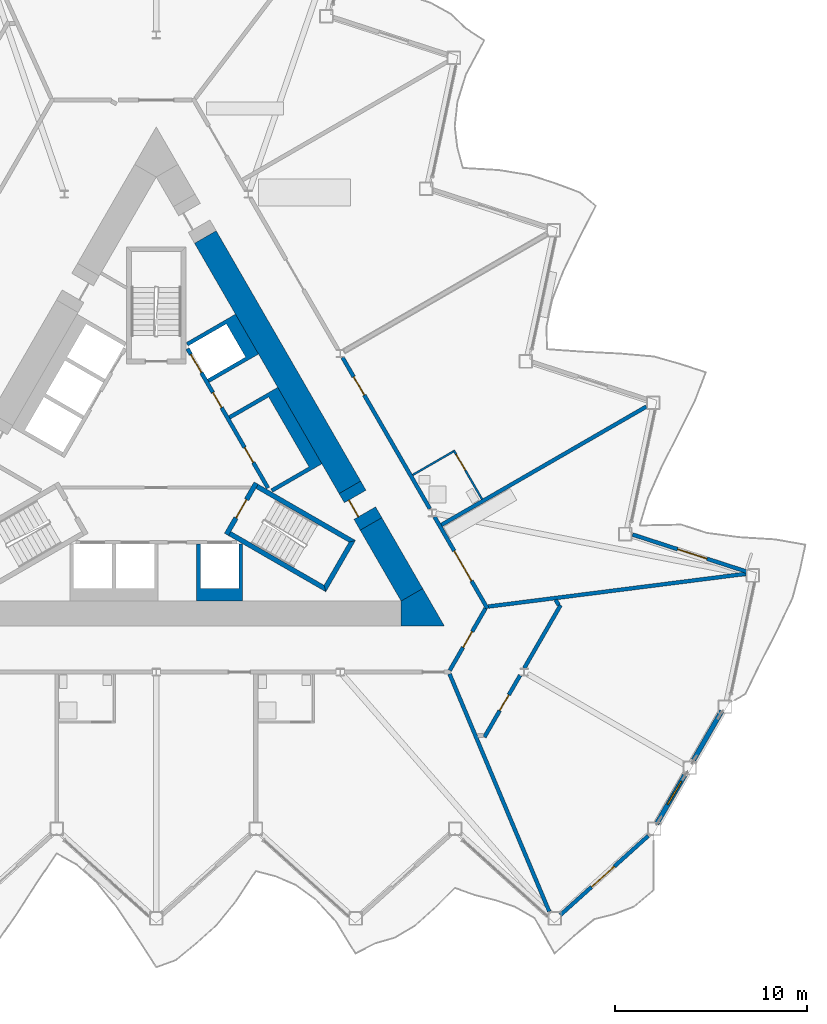
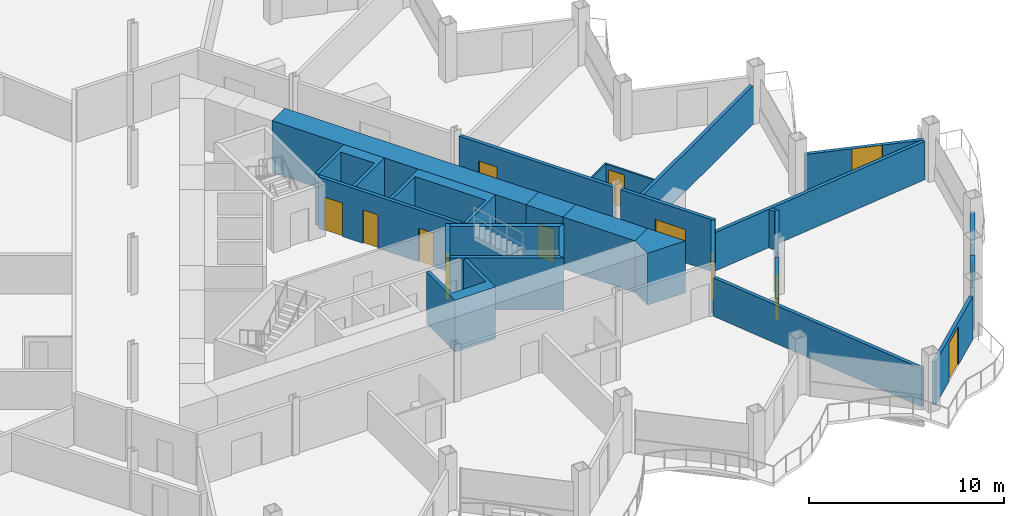
# One storey, part 13 of 23: 27 walls, 12 doors, 1 window, 13 openings.
"""IFC4 building model written with IfcOpenShell, lengths in metres."""

from ifc_helpers import new_model, si_unit, direction, frame, frame_2d, origin, place, context, subcontext, project, spatial, polyline, rectangle, outline, extrude, material, layer, layer_set, type_object, element, fill, save


model = new_model("IFC4")

# Units and contexts
model_context = context("Model", 3, precision=1e-05, world=origin(), true_north=direction((0.0, 1.0)))
body_context = subcontext(model_context, "Body", "Model", "MODEL_VIEW")
ifc_project = project(units=[si_unit("LENGTHUNIT", "METRE"), si_unit("AREAUNIT", "SQUARE_METRE"), si_unit("VOLUMEUNIT", "CUBIC_METRE"), si_unit("PLANEANGLEUNIT", "RADIAN"), si_unit("MASSUNIT", "GRAM", prefix="KILO")], contexts=[model_context])

# Site, building, storey
site_placement = place(None, origin())
site = spatial("IfcSite", under=ifc_project, at=site_placement, CompositionType="ELEMENT")
building_placement = place(site_placement, origin())
building = spatial("IfcBuilding", under=site, at=building_placement, Name="Cormorant Prow Tower", CompositionType="ELEMENT")
storey_placement = place(building_placement, frame((0.0, 0.0, 263.39990234375)))
storey = spatial("IfcBuildingStorey", under=building, at=storey_placement, Name="L59", CompositionType="ELEMENT", Elevation=263.39990234375)

# Walls
ifc_material_1 = material(Name="Concrete 8000 psi", Category="concrete")
ifc_layer_1 = layer(ifc_material_1, 1.300048828125)
ifc_layer_set_1 = layer_set([ifc_layer_1], Name="Concrete 8000 psi")
wall_type_1 = type_object("IfcWallType", Name="Core shear wall 1300", PredefinedType="SHEAR", material=ifc_layer_set_1)
wall_1_placement = place(storey_placement, frame((10.081298828125, -1.440673828125, 0.0), z_axis=(0.0, 0.0, 1.0), x_axis=(-0.500012180433, 0.866018371294, 0.0)))
element("IfcWall", 1, at=wall_1_placement, inside=storey, type_object=wall_type_1, Name="Core wall", PredefinedType="SHEAR", context=body_context, shape_type="SweptSolid", body=[
    extrude(rectangle(XDim=15.05029296875, YDim=1.300048828125, at=frame_2d((7.525146484375, 0.0))), origin(), (0.0, 0.0, 1.0), 3.25),
])
wall_2_placement = place(storey_placement, frame((13.311279296875, -7.035400390625, 0.0), z_axis=(0.0, 0.0, 1.0), x_axis=(-0.500003555838, 0.866023350811, 0.0)))
element("IfcWall", 2, at=wall_2_placement, inside=storey, type_object=wall_type_1, Name="Core wall", PredefinedType="SHEAR", context=body_context, shape_type="SweptSolid", body=[
    extrude(rectangle(XDim=4.26025390625, YDim=1.300048828125, at=frame_2d((2.130126953125, 0.0))), origin(), (0.0, 0.0, 1.0), 3.25),
])
wall_3_placement = place(storey_placement, origin())
element("IfcWall", 3, at=wall_3_placement, inside=storey, type_object=wall_type_1, Name="Core wall corner", PredefinedType="SHEAR", context=body_context, shape_type="SweptSolid", body=[
    extrude(outline(polyline([(12.748291015625, -8.660400390625), (12.748291015625, -7.3603515625), (13.874267578125, -6.710205078125), (15.0, -8.660400390625), (12.748291015625, -8.660400390625)])), origin(), (0.0, 0.0, 1.0), 3.25),
])

# Wall, opening, door
wall_4_placement = place(storey_placement, frame((11.18115234375, -3.345947265625, 0.0), z_axis=(0.0, 0.0, 1.0), x_axis=(-0.499946605688, 0.86605622881, 0.0)))
wall_4 = element("IfcWall", 4, at=wall_4_placement, inside=storey, type_object=wall_type_1, Name="Core wall door panel", PredefinedType="SHEAR", context=body_context, shape_type="SweptSolid", body=[
    extrude(rectangle(XDim=2.199951171875, YDim=1.300048828125, at=frame_2d((1.10009765625, 0.0))), origin(), (0.0, 0.0, 1.0), 3.25),
])
opening_1_placement = place(wall_4_placement, frame((0.64990234375, 0.0, 0.0)))
opening_1 = element("IfcOpeningElement", 5, at=opening_1_placement, cuts=wall_4, Name="Opening L59-C15", PredefinedType="OPENING", context=body_context, shape_type="SweptSolid", body=[
    extrude(rectangle(XDim=1.0, YDim=2.10009765625, at=frame_2d((0.5, 1.050048828125))), frame((0.0, 0.659912109375, 0.0), z_axis=(0.0, -1.0, 0.0), x_axis=(1.0, 0.0, 0.0)), (0.0, 0.0, 1.0), 1.320068359375),
])
ifc_material_2 = material(Name="Painted steel", Category="steel")
door_type_1 = type_object("IfcDoorType", Name="Service door 1000x2100", OperationType="NOTDEFINED", PredefinedType="DOOR", material=ifc_material_2)
door_1_placement = place(opening_1_placement, origin())
door_1 = element("IfcDoor", 6, at=door_1_placement, inside=storey, type_object=door_type_1, Name="Core door, Electrical room", OperationType="SINGLE_SWING_LEFT", OverallHeight=2.10009765625, OverallWidth=1.0, PredefinedType="DOOR", context=body_context, shape_type="SweptSolid", body=[
    extrude(rectangle(XDim=1.0, YDim=2.10009765625, at=frame_2d((0.5, 1.050048828125))), frame((0.0, 0.40478515625, 0.0), z_axis=(0.0, -1.0, 0.0), x_axis=(1.0, 0.0, 0.0)), (0.0, 0.0, 1.0), 0.050048828125),
])
fill(opening_1, door_1)

ifc_material_3 = material(Name="Gypsum board corridor wall")
ifc_layer_2 = layer(ifc_material_3, 0.199951171875)
ifc_layer_set_2 = layer_set([ifc_layer_2], Name="Gypsum board corridor wall")
wall_type_2 = type_object("IfcWallType", Name="Corridor wall 200", PredefinedType="PARTITIONING", material=ifc_layer_set_2)
wall_5_placement = place(storey_placement, frame((9.699462890625, 5.320556640625, 0.0), z_axis=(0.0, 0.0, 1.0), x_axis=(0.49998193945, -0.866035830797, 0.0)))
wall_5 = element("IfcWall", 7, at=wall_5_placement, inside=storey, type_object=wall_type_2, Name="Corridor wall", PredefinedType="PARTITIONING", context=body_context, shape_type="SweptSolid", body=[
    extrude(rectangle(XDim=9.094482421875, YDim=0.199951171875, at=frame_2d((4.54736328125, 0.0))), origin(), (0.0, 0.0, 1.0), 3.25),
])
opening_2_placement = place(wall_5_placement, frame((1.16162109375, 0.0, 0.0)))
opening_2 = element("IfcOpeningElement", 8, at=opening_2_placement, cuts=wall_5, Name="Opening L59-F09", PredefinedType="OPENING", context=body_context, shape_type="SweptSolid", body=[
    extrude(rectangle(XDim=1.10009765625, YDim=2.10009765625, at=frame_2d((0.550048828125, 1.050048828125))), frame((0.0, 0.10986328125, 0.0), z_axis=(0.0, -1.0, 0.0), x_axis=(1.0, 0.0, 0.0)), (0.0, 0.0, 1.0), 0.219970703125),
])
ifc_material_4 = material(Name="Timber door leaf", Category="wood")
door_type_2 = type_object("IfcDoorType", Name="Suite entrance door 1100x2100", OperationType="NOTDEFINED", PredefinedType="DOOR", material=ifc_material_4)
door_2_placement = place(opening_2_placement, origin())
door_2 = element("IfcDoor", 9, at=door_2_placement, inside=storey, type_object=door_type_2, Name="Junior suite door", OperationType="SINGLE_SWING_LEFT", OverallHeight=2.10009765625, OverallWidth=1.10009765625, PredefinedType="DOOR", context=body_context, shape_type="SweptSolid", body=[
    extrude(rectangle(XDim=1.10009765625, YDim=2.10009765625, at=frame_2d((0.550048828125, 1.050048828125))), frame((0.0, 0.02490234375, 0.0), z_axis=(0.0, -1.0, 0.0), x_axis=(1.0, 0.0, 0.0)), (0.0, 0.0, 1.0), 0.050048828125),
])
fill(opening_2, door_2)

wall_6_placement = place(storey_placement, frame((14.488525390625, -2.974609375, 0.0), z_axis=(0.0, 0.0, 1.0), x_axis=(0.500017753321, -0.866015153657, 0.0)))
wall_6 = element("IfcWall", 10, at=wall_6_placement, inside=storey, type_object=wall_type_2, Name="Corridor wall", PredefinedType="PARTITIONING", context=body_context, shape_type="SweptSolid", body=[
    extrude(rectangle(XDim=5.510498046875, YDim=0.199951171875, at=frame_2d((2.75537109375, 0.0))), origin(), (0.0, 0.0, 1.0), 3.25),
])
opening_3_placement = place(wall_6_placement, frame((2.055908203125, 0.0, 0.0)))
opening_3 = element("IfcOpeningElement", 11, at=opening_3_placement, cuts=wall_6, Name="Opening L59-F08", PredefinedType="OPENING", context=body_context, shape_type="SweptSolid", body=[
    extrude(rectangle(XDim=1.800048828125, YDim=2.10009765625, at=frame_2d((0.89990234375, 1.050048828125))), frame((0.0, 0.10986328125, 0.0), z_axis=(0.0, -1.0, 0.0), x_axis=(1.0, 0.0, 0.0)), (0.0, 0.0, 1.0), 0.219970703125),
])
ifc_material_5 = material(Name="Timber door leaf", Category="wood")
door_type_3 = type_object("IfcDoorType", Name="Double door 1800x2100", OperationType="DOUBLE_DOOR_SINGLE_SWING", PredefinedType="DOOR", material=ifc_material_5)
door_3_placement = place(opening_3_placement, origin())
door_3 = element("IfcDoor", 12, at=door_3_placement, inside=storey, type_object=door_type_3, Name="Fitness room door", OperationType="DOUBLE_DOOR_SINGLE_SWING", OverallHeight=2.10009765625, OverallWidth=1.800048828125, PredefinedType="DOOR", context=body_context, shape_type="SweptSolid", body=[
    extrude(rectangle(XDim=1.800048828125, YDim=2.10009765625, at=frame_2d((0.89990234375, 1.050048828125))), frame((0.0, 0.02490234375, 0.0), z_axis=(0.0, -1.0, 0.0), x_axis=(1.0, 0.0, 0.0)), (0.0, 0.0, 1.0), 0.050048828125),
])
fill(opening_3, door_3)

wall_7_placement = place(storey_placement, frame((15.281005859375, -10.9736328125, 0.0), z_axis=(0.0, 0.0, 1.0), x_axis=(0.499958791762, 0.866049194065, 0.0)))
wall_7 = element("IfcWall", 13, at=wall_7_placement, inside=storey, type_object=wall_type_2, Name="Corridor wall", PredefinedType="PARTITIONING", context=body_context, shape_type="SweptSolid", body=[
    extrude(rectangle(XDim=3.725830078125, YDim=0.199951171875, at=frame_2d((1.86279296875, 0.0))), origin(), (0.0, 0.0, 1.0), 3.25),
])
opening_4_placement = place(wall_7_placement, frame((1.387939453125, 0.0, 0.0)))
opening_4 = element("IfcOpeningElement", 14, at=opening_4_placement, cuts=wall_7, Name="Opening L59-F06", PredefinedType="OPENING", context=body_context, shape_type="SweptSolid", body=[
    extrude(rectangle(XDim=0.949951171875, YDim=2.10009765625, at=frame_2d((0.47509765625, 1.050048828125))), frame((0.0, 0.10986328125, 0.0), z_axis=(0.0, -1.0, 0.0), x_axis=(1.0, 0.0, 0.0)), (0.0, 0.0, 1.0), 0.219970703125),
])
ifc_material_6 = material(Name="Timber door leaf", Category="wood")
door_type_4 = type_object("IfcDoorType", Name="Store door 950x2100", OperationType="NOTDEFINED", PredefinedType="DOOR", material=ifc_material_6)
door_4_placement = place(opening_4_placement, origin())
door_4 = element("IfcDoor", 15, at=door_4_placement, inside=storey, type_object=door_type_4, Name="Housekeeping room door", OperationType="SINGLE_SWING_RIGHT", OverallHeight=2.10009765625, OverallWidth=0.949951171875, PredefinedType="DOOR", context=body_context, shape_type="SweptSolid", body=[
    extrude(rectangle(XDim=0.949951171875, YDim=2.10009765625, at=frame_2d((0.47509765625, 1.050048828125))), frame((0.0, 0.02490234375, 0.0), z_axis=(0.0, -1.0, 0.0), x_axis=(1.0, 0.0, 0.0)), (0.0, 0.0, 1.0), 0.050048828125),
])
fill(opening_4, door_4)

# Walls
ifc_material_7 = material(Name="Gypsum board demising wall")
ifc_layer_3 = layer(ifc_material_7, 0.199951171875)
ifc_layer_set_3 = layer_set([ifc_layer_3], Name="Gypsum board demising wall")
wall_type_3 = type_object("IfcWallType", Name="Demising wall 200", PredefinedType="PARTITIONING", material=ifc_layer_set_3)
wall_8_placement = place(storey_placement, frame((17.293212890625, -7.647705078125, 0.0), z_axis=(0.0, 0.0, 1.0), x_axis=(0.992013080374, 0.126135040205, 0.0)))
element("IfcWall", 16, at=wall_8_placement, inside=storey, type_object=wall_type_3, Name="Demising wall", PredefinedType="PARTITIONING", context=body_context, shape_type="SweptSolid", body=[
    extrude(rectangle(XDim=13.517822265625, YDim=0.199951171875, at=frame_2d((6.7587890625, 0.0))), origin(), (0.0, 0.0, 1.0), 2.404296875),
])
wall_9_placement = place(storey_placement, frame((15.26953125, -11.152587890625, 0.0), z_axis=(0.0, 0.0, 1.0), x_axis=(0.386788567553, -0.922168424969, 0.0)))
element("IfcWall", 17, at=wall_9_placement, inside=storey, type_object=wall_type_3, Name="Demising wall", PredefinedType="PARTITIONING", context=body_context, shape_type="SweptSolid", body=[
    extrude(rectangle(XDim=13.418701171875, YDim=0.199951171875, at=frame_2d((6.70947265625, 0.0))), origin(), (0.0, 0.0, 1.0), 2.404296875),
])
wall_10_placement = place(storey_placement, frame((14.84765625, -3.396484375, 0.0), z_axis=(0.0, 0.0, 1.0), x_axis=(0.866026822589, 0.49999754255, 0.0)))
element("IfcWall", 18, at=wall_10_placement, inside=storey, type_object=wall_type_3, Name="Demising wall", PredefinedType="PARTITIONING", context=body_context, shape_type="SweptSolid", body=[
    extrude(rectangle(XDim=12.3173828125, YDim=0.199951171875, at=frame_2d((6.15869140625, 0.0))), origin(), (0.0, 0.0, 1.0), 2.404296875),
])
wall_11_placement = place(storey_placement, frame((19.162353515625, -10.850830078125, 0.0), z_axis=(0.0, 0.0, 1.0), x_axis=(0.500011000363, 0.866019052629, 0.0)))
element("IfcWall", 19, at=wall_11_placement, inside=storey, type_object=wall_type_3, Name="Demising wall", PredefinedType="PARTITIONING", context=body_context, shape_type="SweptSolid", body=[
    extrude(rectangle(XDim=3.7841796875, YDim=0.199951171875, at=frame_2d((1.89208984375, 0.0))), origin(), (0.0, 0.0, 1.0), 2.404296875),
])

# Wall, opening, door
wall_12_placement = place(storey_placement, frame((17.086181640625, -14.447021484375, 0.0), z_axis=(0.0, 0.0, 1.0), x_axis=(0.500004411858, 0.866022856582, 0.0)))
wall_12 = element("IfcWall", 20, at=wall_12_placement, inside=storey, type_object=wall_type_3, Name="Demising wall", PredefinedType="PARTITIONING", context=body_context, shape_type="SweptSolid", body=[
    extrude(rectangle(XDim=3.72265625, YDim=0.199951171875, at=frame_2d((1.861328125, 0.0))), origin(), (0.0, 0.0, 1.0), 2.404296875),
])
opening_5_placement = place(wall_12_placement, frame((1.5927734375, 0.0, 0.0)))
opening_5 = element("IfcOpeningElement", 21, at=opening_5_placement, cuts=wall_12, Name="Opening L59-F07", PredefinedType="OPENING", context=body_context, shape_type="SweptSolid", body=[
    extrude(rectangle(XDim=0.949951171875, YDim=2.10009765625, at=frame_2d((0.47509765625, 1.050048828125))), frame((0.0, 0.10986328125, 0.0), z_axis=(0.0, -1.0, 0.0), x_axis=(1.0, 0.0, 0.0)), (0.0, 0.0, 1.0), 0.219970703125),
])
door_5_placement = place(opening_5_placement, origin())
door_5 = element("IfcDoor", 22, at=door_5_placement, inside=storey, type_object=door_type_4, Name="Linen store door", OperationType="SINGLE_SWING_RIGHT", OverallHeight=2.10009765625, OverallWidth=0.949951171875, PredefinedType="DOOR", context=body_context, shape_type="SweptSolid", body=[
    extrude(rectangle(XDim=0.949951171875, YDim=2.10009765625, at=frame_2d((0.47509765625, 1.050048828125))), frame((0.0, 0.02490234375, 0.0), z_axis=(0.0, -1.0, 0.0), x_axis=(1.0, 0.0, 0.0)), (0.0, 0.0, 1.0), 0.050048828125),
])
fill(opening_5, door_5)

# Wall
wall_13_placement = place(storey_placement, frame((20.793701171875, -7.29541015625, 0.0), z_axis=(0.0, 0.0, 1.0), x_axis=(0.499897828833, -0.8660843843, 0.0)))
element("IfcWall", 23, at=wall_13_placement, inside=storey, type_object=wall_type_3, Name="Demising wall", PredefinedType="PARTITIONING", context=body_context, shape_type="SweptSolid", body=[
    extrude(rectangle(XDim=0.3212890625, YDim=0.199951171875, at=frame_2d((0.16064453125, 0.0))), origin(), (0.0, 0.0, 1.0), 2.404296875),
])

# Wall, opening, door
ifc_material_8 = material(Name="Gypsum board partition")
ifc_layer_4 = layer(ifc_material_8, 0.10009765625)
ifc_layer_set_4 = layer_set([ifc_layer_4], Name="Gypsum board partition")
wall_type_4 = type_object("IfcWallType", Name="Internal partition 100", PredefinedType="PARTITIONING", material=ifc_layer_set_4)
wall_14_placement = place(storey_placement, frame((15.48779296875, 0.494873046875, 0.0), z_axis=(0.0, 0.0, 1.0), x_axis=(0.500037662692, -0.866003658127, 0.0)))
wall_14 = element("IfcWall", 24, at=wall_14_placement, inside=storey, type_object=wall_type_4, Name="Internal partition", PredefinedType="PARTITIONING", context=body_context, shape_type="SweptSolid", body=[
    extrude(rectangle(XDim=2.949951171875, YDim=0.10009765625, at=frame_2d((1.47509765625, 0.0))), origin(), (0.0, 0.0, 1.0), 2.404296875),
])
opening_6_placement = place(wall_14_placement, frame((0.25, 0.0, 0.0)))
opening_6 = element("IfcOpeningElement", 25, at=opening_6_placement, cuts=wall_14, Name="Opening L59-F10", PredefinedType="OPENING", context=body_context, shape_type="SweptSolid", body=[
    extrude(rectangle(XDim=0.949951171875, YDim=2.10009765625, at=frame_2d((0.47509765625, 1.050048828125))), frame((0.0, 0.06005859375, 0.0), z_axis=(0.0, -1.0, 0.0), x_axis=(1.0, 0.0, 0.0)), (0.0, 0.0, 1.0), 0.1201171875),
])
ifc_material_9 = material(Name="Timber door leaf", Category="wood")
door_type_5 = type_object("IfcDoorType", Name="Bathroom door 950x2100", OperationType="NOTDEFINED", PredefinedType="DOOR", material=ifc_material_9)
door_6_placement = place(opening_6_placement, origin())
door_6 = element("IfcDoor", 26, at=door_6_placement, inside=storey, type_object=door_type_5, Name="Junior suite door", OperationType="SINGLE_SWING_LEFT", OverallHeight=2.10009765625, OverallWidth=0.949951171875, PredefinedType="DOOR", context=body_context, shape_type="SweptSolid", body=[
    extrude(rectangle(XDim=0.949951171875, YDim=2.10009765625, at=frame_2d((0.47509765625, 1.050048828125))), frame((0.0, 0.02490234375, 0.0), z_axis=(0.0, -1.0, 0.0), x_axis=(1.0, 0.0, 0.0)), (0.0, 0.0, 1.0), 0.050048828125),
])
fill(opening_6, door_6)

# Wall
wall_15_placement = place(storey_placement, frame((13.34765625, -0.798583984375, 0.0), z_axis=(0.0, 0.0, 1.0), x_axis=(0.866014668023, 0.500018594424, 0.0)))
element("IfcWall", 27, at=wall_15_placement, inside=storey, type_object=wall_type_4, Name="Internal partition", PredefinedType="PARTITIONING", context=body_context, shape_type="SweptSolid", body=[
    extrude(rectangle(XDim=2.4501953125, YDim=0.10009765625, at=frame_2d((1.22509765625, 0.0))), origin(), (0.0, 0.0, 1.0), 2.404296875),
])

# Wall, openings, doors
ifc_material_10 = material(Name="Concrete 5000 psi", Category="concrete")
ifc_layer_5 = layer(ifc_material_10, 0.199951171875)
ifc_layer_set_5 = layer_set([ifc_layer_5], Name="Concrete 5000 psi")
wall_type_5 = type_object("IfcWallType", Name="Lift lobby wall 200", PredefinedType="SOLIDWALL", material=ifc_layer_set_5)
wall_16_placement = place(storey_placement, frame((5.817138671875, -1.4755859375, 0.0), z_axis=(0.0, 0.0, 1.0), x_axis=(-0.500002616675, 0.866023893041, 0.0)))
wall_16 = element("IfcWall", 28, at=wall_16_placement, inside=storey, type_object=wall_type_5, Name="Lift lobby wall, ENE block", PredefinedType="SOLIDWALL", context=body_context, shape_type="SweptSolid", body=[
    extrude(rectangle(XDim=8.373046875, YDim=0.199951171875, at=frame_2d((4.1865234375, 0.0))), origin(), (0.0, 0.0, 1.0), 3.25),
])
opening_7_placement = place(wall_16_placement, frame((1.53662109375, 0.0, 0.0)))
opening_7 = element("IfcOpeningElement", 29, at=opening_7_placement, cuts=wall_16, Name="Opening L59-C05", PredefinedType="OPENING", context=body_context, shape_type="SweptSolid", body=[
    extrude(rectangle(XDim=0.89990234375, YDim=2.10009765625, at=frame_2d((0.449951171875, 1.050048828125))), frame((0.0, 0.10986328125, 0.0), z_axis=(0.0, -1.0, 0.0), x_axis=(1.0, 0.0, 0.0)), (0.0, 0.0, 1.0), 0.219970703125),
])
opening_8_placement = place(wall_16_placement, frame((4.836669921875, 0.0, 0.0)))
opening_8 = element("IfcOpeningElement", 30, at=opening_8_placement, cuts=wall_16, Name="Opening L59-C06", PredefinedType="OPENING", context=body_context, shape_type="SweptSolid", body=[
    extrude(rectangle(XDim=0.89990234375, YDim=2.10009765625, at=frame_2d((0.449951171875, 1.050048828125))), frame((0.0, 0.10986328125, 0.0), z_axis=(0.0, -1.0, 0.0), x_axis=(1.0, 0.0, 0.0)), (0.0, 0.0, 1.0), 0.219970703125),
])
opening_9_placement = place(wall_16_placement, frame((6.9365234375, 0.0, 0.0)))
opening_9 = element("IfcOpeningElement", 31, at=opening_9_placement, cuts=wall_16, Name="Opening L59-C07", PredefinedType="OPENING", context=body_context, shape_type="SweptSolid", body=[
    extrude(rectangle(XDim=1.10009765625, YDim=2.10009765625, at=frame_2d((0.550048828125, 1.050048828125))), frame((0.0, 0.10986328125, 0.0), z_axis=(0.0, -1.0, 0.0), x_axis=(1.0, 0.0, 0.0)), (0.0, 0.0, 1.0), 0.219970703125),
])
ifc_material_11 = material(Name="Painted steel", Category="steel")
door_type_6 = type_object("IfcDoorType", Name="Lift landing door 1100x2100", OperationType="SLIDING_TO_LEFT", PredefinedType="DOOR", material=ifc_material_11)
door_7_placement = place(opening_9_placement, origin())
door_7 = element("IfcDoor", 32, at=door_7_placement, inside=storey, type_object=door_type_6, Name="Landing door MR1", OperationType="SLIDING_TO_LEFT", OverallHeight=2.10009765625, OverallWidth=1.10009765625, PredefinedType="DOOR", context=body_context, shape_type="SweptSolid", body=[
    extrude(rectangle(XDim=1.10009765625, YDim=2.10009765625, at=frame_2d((0.550048828125, 1.050048828125))), frame((0.0, 0.02490234375, 0.0), z_axis=(0.0, -1.0, 0.0), x_axis=(1.0, 0.0, 0.0)), (0.0, 0.0, 1.0), 0.050048828125),
])
fill(opening_9, door_7)
ifc_material_12 = material(Name="Painted steel", Category="steel")
door_type_7 = type_object("IfcDoorType", Name="Service door 900x2100", OperationType="NOTDEFINED", PredefinedType="DOOR", material=ifc_material_12)
door_8_placement = place(opening_7_placement, origin())
door_8 = element("IfcDoor", 33, at=door_8_placement, inside=storey, type_object=door_type_7, Name="Service door, Telecom room", OperationType="SINGLE_SWING_LEFT", OverallHeight=2.10009765625, OverallWidth=0.89990234375, PredefinedType="DOOR", context=body_context, shape_type="SweptSolid", body=[
    extrude(rectangle(XDim=0.89990234375, YDim=2.10009765625, at=frame_2d((0.449951171875, 1.050048828125))), frame((0.0, 0.02490234375, 0.0), z_axis=(0.0, -1.0, 0.0), x_axis=(1.0, 0.0, 0.0)), (0.0, 0.0, 1.0), 0.050048828125),
])
fill(opening_7, door_8)
door_9_placement = place(opening_8_placement, origin())
door_9 = element("IfcDoor", 34, at=door_9_placement, inside=storey, type_object=door_type_7, Name="Service door, Electrical room", OperationType="SINGLE_SWING_RIGHT", OverallHeight=2.10009765625, OverallWidth=0.89990234375, PredefinedType="DOOR", context=body_context, shape_type="SweptSolid", body=[
    extrude(rectangle(XDim=0.89990234375, YDim=2.10009765625, at=frame_2d((0.449951171875, 1.050048828125))), frame((0.0, 0.02490234375, 0.0), z_axis=(0.0, -1.0, 0.0), x_axis=(1.0, 0.0, 0.0)), (0.0, 0.0, 1.0), 0.050048828125),
])
fill(opening_8, door_9)

# Walls
ifc_material_13 = material(Name="Concrete 8000 psi", Category="concrete")
ifc_layer_6 = layer(ifc_material_13, 0.199951171875)
ifc_layer_set_6 = layer_set([ifc_layer_6], Name="Concrete 8000 psi")
wall_type_6 = type_object("IfcWallType", Name="Lift shaft wall 200", PredefinedType="SHEAR", material=ifc_layer_set_6)
wall_17_placement = place(storey_placement, origin())
element("IfcWall", 35, at=wall_17_placement, inside=storey, type_object=wall_type_6, Name="Lift shaft walls, S block", PredefinedType="SHEAR", context=body_context, shape_type="SweptSolid", body=[
    extrude(outline(polyline([(2.10009765625, -7.3603515625), (2.10009765625, -4.39990234375), (2.300048828125, -4.39990234375), (2.300048828125, -6.699951171875), (4.300048828125, -6.699951171875), (4.300048828125, -4.39990234375), (4.5, -4.39990234375), (4.5, -7.3603515625), (2.10009765625, -7.3603515625)])), origin(), (0.0, 0.0, 1.0), 3.25),
])
wall_18_placement = place(storey_placement, origin())
element("IfcWall", 36, at=wall_18_placement, inside=storey, type_object=wall_type_6, Name="Lift shaft walls, ENE block", PredefinedType="SHEAR", context=body_context, shape_type="SweptSolid", body=[
    extrude(outline(polyline([(6.32421875, 3.7666015625), (8.624267578125, -0.217041015625), (8.230712890625, -0.444091796875), (6.060546875, -1.697021484375), (5.96044921875, -1.52392578125), (7.952392578125, -0.373779296875), (5.852294921875, 3.263427734375), (3.860595703125, 2.11328125), (3.760498046875, 2.28662109375), (5.930908203125, 3.53955078125), (6.32421875, 3.7666015625)])), origin(), (0.0, 0.0, 1.0), 3.25),
])
wall_19_placement = place(storey_placement, origin())
element("IfcWall", 37, at=wall_19_placement, inside=storey, type_object=wall_type_6, Name="Lift shaft walls, ENE block", PredefinedType="SHEAR", context=body_context, shape_type="SweptSolid", body=[
    extrude(outline(polyline([(5.32421875, 5.498779296875), (4.930908203125, 5.271728515625), (2.760498046875, 4.018798828125), (2.660400390625, 4.19189453125), (4.65234375, 5.341796875), (3.65234375, 7.073974609375), (1.660400390625, 5.923828125), (1.560546875, 6.09716796875), (3.730712890625, 7.35009765625), (4.124267578125, 7.5771484375), (5.32421875, 5.498779296875)])), origin(), (0.0, 0.0, 1.0), 3.25),
])
ifc_material_14 = material(Name="Concrete 8000 psi", Category="concrete")
ifc_layer_7 = layer(ifc_material_14, 0.25)
ifc_layer_set_7 = layer_set([ifc_layer_7], Name="Concrete 8000 psi")
wall_type_7 = type_object("IfcWallType", Name="Stair wall 250", PredefinedType="SHEAR", material=ifc_layer_set_7)
wall_20_placement = place(storey_placement, origin())
element("IfcWall", 38, at=wall_20_placement, inside=storey, type_object=wall_type_7, Name="Stair ST2 enclosure wall (flank)", PredefinedType="SHEAR", context=body_context, shape_type="SweptSolid", body=[
    extrude(outline(polyline([(3.76318359375, -3.95556640625), (8.82958984375, -6.880615234375), (8.738037109375, -6.5390625), (3.88818359375, -3.739013671875), (3.76318359375, -3.95556640625)])), origin(), (0.0, 0.0, 1.0), 3.25),
])
wall_21_placement = place(storey_placement, origin())
element("IfcWall", 39, at=wall_21_placement, inside=storey, type_object=wall_type_7, Name="Stair ST2 enclosure wall (end)", PredefinedType="SHEAR", context=body_context, shape_type="SweptSolid", body=[
    extrude(outline(polyline([(8.82958984375, -6.880615234375), (10.37353515625, -4.206298828125), (10.031982421875, -4.2978515625), (8.738037109375, -6.5390625), (8.82958984375, -6.880615234375)])), origin(), (0.0, 0.0, 1.0), 3.25),
])
wall_22_placement = place(storey_placement, origin())
element("IfcWall", 40, at=wall_22_placement, inside=storey, type_object=wall_type_7, Name="Stair ST2 enclosure wall (flank)", PredefinedType="SHEAR", context=body_context, shape_type="SweptSolid", body=[
    extrude(outline(polyline([(10.031982421875, -4.2978515625), (10.37353515625, -4.206298828125), (5.30712890625, -1.28125), (5.18212890625, -1.497802734375), (10.031982421875, -4.2978515625)])), origin(), (0.0, 0.0, 1.0), 3.25),
])

# Wall, opening, door
wall_23_placement = place(storey_placement, frame((3.655029296875, -3.89306640625, 0.0), z_axis=(0.0, 0.0, 1.0), x_axis=(0.499982516597, 0.866035497597, 0.0)))
wall_23 = element("IfcWall", 41, at=wall_23_placement, inside=storey, type_object=wall_type_7, Name="Stair ST2 door wall", PredefinedType="SHEAR", context=body_context, shape_type="SweptSolid", body=[
    extrude(rectangle(XDim=3.087890625, YDim=0.25, at=frame_2d((1.5439453125, 0.0))), origin(), (0.0, 0.0, 1.0), 3.25),
])
opening_10_placement = place(wall_23_placement, frame((0.993896484375, 0.0, 0.0)))
opening_10 = element("IfcOpeningElement", 42, at=opening_10_placement, cuts=wall_23, Name="Opening L59-C12", PredefinedType="OPENING", context=body_context, shape_type="SweptSolid", body=[
    extrude(rectangle(XDim=1.10009765625, YDim=2.10009765625, at=frame_2d((0.550048828125, 1.050048828125))), frame((0.0, 0.135009765625, 0.0), z_axis=(0.0, -1.0, 0.0), x_axis=(1.0, 0.0, 0.0)), (0.0, 0.0, 1.0), 0.27001953125),
])
ifc_material_15 = material(Name="Painted steel", Category="steel")
door_type_8 = type_object("IfcDoorType", Name="Stair door 1100x2100", OperationType="NOTDEFINED", PredefinedType="DOOR", material=ifc_material_15)
door_10_placement = place(opening_10_placement, origin())
door_10 = element("IfcDoor", 43, at=door_10_placement, inside=storey, type_object=door_type_8, Name="Stair ST2 door", OperationType="SINGLE_SWING_RIGHT", OverallHeight=2.10009765625, OverallWidth=1.10009765625, PredefinedType="DOOR", context=body_context, shape_type="SweptSolid", body=[
    extrude(rectangle(XDim=1.10009765625, YDim=2.10009765625, at=frame_2d((0.550048828125, 1.050048828125))), frame((0.0, 0.02490234375, 0.0), z_axis=(0.0, -1.0, 0.0), x_axis=(1.0, 0.0, 0.0)), (0.0, 0.0, 1.0), 0.050048828125),
])
fill(opening_10, door_10)

# Wall, opening, window
ifc_material_16 = material(Name="Terracotta", Category="masonry")
ifc_layer_8 = layer(ifc_material_16, 0.25)
ifc_layer_set_8 = layer_set([ifc_layer_8], Name="Terracotta")
wall_type_8 = type_object("IfcWallType", Name="Terracotta bay wall 250", PredefinedType="SOLIDWALL", material=ifc_layer_set_8)
wall_24_placement = place(storey_placement, frame((26.0556640625, -18.9599609375, 0.0), z_axis=(0.0, 0.0, 1.0), x_axis=(0.499949632511, 0.866054481515, 0.0)))
wall_24 = element("IfcWall", 44, at=wall_24_placement, inside=storey, type_object=wall_type_8, Name="Terracotta bay wall ESE00", PredefinedType="SOLIDWALL", context=body_context, shape_type="SweptSolid", body=[
    extrude(rectangle(XDim=2.914794921875, YDim=0.25, at=frame_2d((1.45751953125, 0.0))), origin(), (0.0, 0.0, 1.0), 2.700927734375),
])
opening_11_placement = place(wall_24_placement, frame((1.14990234375, 0.0, 1.89990234375)))
opening_11 = element("IfcOpeningElement", 45, at=opening_11_placement, cuts=wall_24, Name="Opening WN6", PredefinedType="OPENING", context=body_context, shape_type="SweptSolid", body=[
    extrude(rectangle(XDim=1.39990234375, YDim=0.60009765625, at=frame_2d((0.699951171875, 0.300048828125))), frame((0.0, 0.135009765625, 0.0), z_axis=(0.0, -1.0, 0.0), x_axis=(1.0, 0.0, 0.0)), (0.0, 0.0, 1.0), 0.27001953125),
])
ifc_material_17 = material(Name="Aluminium 6063-T6", Category="aluminium")
window_type = type_object("IfcWindowType", Name="Corner bay window 1400x600", PartitioningType="SINGLE_PANEL", PredefinedType="WINDOW", material=ifc_material_17)
window_placement = place(opening_11_placement, origin())
window = element("IfcWindow", 46, at=window_placement, inside=storey, type_object=window_type, Name="Corner bay window ESE00", OverallHeight=0.60009765625, OverallWidth=1.39990234375, PartitioningType="SINGLE_PANEL", PredefinedType="WINDOW", context=body_context, shape_type="SweptSolid", body=[
    extrude(rectangle(XDim=1.39990234375, YDim=0.60009765625, at=frame_2d((0.699951171875, 0.300048828125))), frame((0.0, 0.030029296875, 0.0), z_axis=(0.0, -1.0, 0.0), x_axis=(1.0, 0.0, 0.0)), (0.0, 0.0, 1.0), 0.06005859375),
])
fill(opening_11, window)

# Wall
wall_25_placement = place(storey_placement, frame((27.974365234375, -15.63671875, 0.0), z_axis=(0.0, 0.0, 1.0), x_axis=(0.499971101808, 0.86604208752, 0.0)))
element("IfcWall", 47, at=wall_25_placement, inside=storey, type_object=wall_type_8, Name="Terracotta bay wall ESE01", PredefinedType="SOLIDWALL", context=body_context, shape_type="SweptSolid", body=[
    extrude(rectangle(XDim=2.946533203125, YDim=0.25, at=frame_2d((1.47314453125, 0.0))), origin(), (0.0, 0.0, 1.0), 2.700927734375),
])

# Wall, opening, door
ifc_material_18 = material(Name="Terracotta", Category="masonry")
ifc_layer_9 = layer(ifc_material_18, 0.199951171875)
ifc_layer_set_9 = layer_set([ifc_layer_9], Name="Terracotta")
wall_type_9 = type_object("IfcWallType", Name="Terracotta jamb wall 200", PredefinedType="SOLIDWALL", material=ifc_layer_set_9)
wall_26_placement = place(storey_placement, frame((21.0361328125, -23.713134765625, 0.0), z_axis=(0.0, 0.0, 1.0), x_axis=(0.743142515738, 0.669133171575, 0.0)))
wall_26 = element("IfcWall", 48, at=wall_26_placement, inside=storey, type_object=wall_type_9, Name="Terracotta jamb wall S09", PredefinedType="SOLIDWALL", context=body_context, shape_type="SweptSolid", body=[
    extrude(rectangle(XDim=6.16552734375, YDim=0.199951171875, at=frame_2d((3.082763671875, 0.0))), origin(), (0.0, 0.0, 1.0), 2.700927734375),
])
opening_12_placement = place(wall_26_placement, frame((2.18603515625, 0.0, 0.0)))
opening_12 = element("IfcOpeningElement", 49, at=opening_12_placement, cuts=wall_26, Name="Opening ED59.05", PredefinedType="OPENING", context=body_context, shape_type="SweptSolid", body=[
    extrude(rectangle(XDim=1.60009765625, YDim=2.39990234375, at=frame_2d((0.800048828125, 1.199951171875))), frame((0.0, 0.10986328125, 0.0), z_axis=(0.0, -1.0, 0.0), x_axis=(1.0, 0.0, 0.0)), (0.0, 0.0, 1.0), 0.219970703125),
])
ifc_material_19 = material(Name="Aluminium 6063-T6", Category="aluminium")
door_type_9 = type_object("IfcDoorType", Name="Balcony door 1600x2400", OperationType="DOUBLE_DOOR_SINGLE_SWING", PredefinedType="DOOR", material=ifc_material_19)
door_11_placement = place(opening_12_placement, origin())
door_11 = element("IfcDoor", 50, at=door_11_placement, inside=storey, type_object=door_type_9, Name="Balcony door S09 ED59.05", OperationType="DOUBLE_DOOR_SINGLE_SWING", OverallHeight=2.39990234375, OverallWidth=1.60009765625, PredefinedType="DOOR", context=body_context, shape_type="SweptSolid", body=[
    extrude(rectangle(XDim=1.60009765625, YDim=2.39990234375, at=frame_2d((0.800048828125, 1.199951171875))), frame((0.0, 0.02490234375, 0.0), z_axis=(0.0, -1.0, 0.0), x_axis=(1.0, 0.0, 0.0)), (0.0, 0.0, 1.0), 0.050048828125),
])
fill(opening_12, door_11)

wall_27_placement = place(storey_placement, frame((30.7490234375, -5.832275390625, 0.0), z_axis=(0.0, 0.0, 1.0), x_axis=(-0.95105557136, 0.309019902571, 0.0)))
wall_27 = element("IfcWall", 51, at=wall_27_placement, inside=storey, type_object=wall_type_9, Name="Terracotta jamb wall ENE01", PredefinedType="SOLIDWALL", context=body_context, shape_type="SweptSolid", body=[
    extrude(rectangle(XDim=6.257080078125, YDim=0.199951171875, at=frame_2d((3.12841796875, 0.0))), origin(), (0.0, 0.0, 1.0), 2.404296875),
])
opening_13_placement = place(wall_27_placement, frame((2.18603515625, 0.0, 0.0)))
opening_13 = element("IfcOpeningElement", 52, at=opening_13_placement, cuts=wall_27, Name="Opening ED59.06", PredefinedType="OPENING", context=body_context, shape_type="SweptSolid", body=[
    extrude(rectangle(XDim=1.60009765625, YDim=2.39990234375, at=frame_2d((0.800048828125, 1.199951171875))), frame((0.0, 0.10986328125, 0.0), z_axis=(0.0, -1.0, 0.0), x_axis=(1.0, 0.0, 0.0)), (0.0, 0.0, 1.0), 0.219970703125),
])
door_12_placement = place(opening_13_placement, origin())
door_12 = element("IfcDoor", 53, at=door_12_placement, inside=storey, type_object=door_type_9, Name="Balcony door ENE01 ED59.06", OperationType="DOUBLE_DOOR_SINGLE_SWING", OverallHeight=2.39990234375, OverallWidth=1.60009765625, PredefinedType="DOOR", context=body_context, shape_type="SweptSolid", body=[
    extrude(rectangle(XDim=1.60009765625, YDim=2.39990234375, at=frame_2d((0.800048828125, 1.199951171875))), frame((0.0, 0.02490234375, 0.0), z_axis=(0.0, -1.0, 0.0), x_axis=(1.0, 0.0, 0.0)), (0.0, 0.0, 1.0), 0.050048828125),
])
fill(opening_13, door_12)

save(model, "model.ifc")
